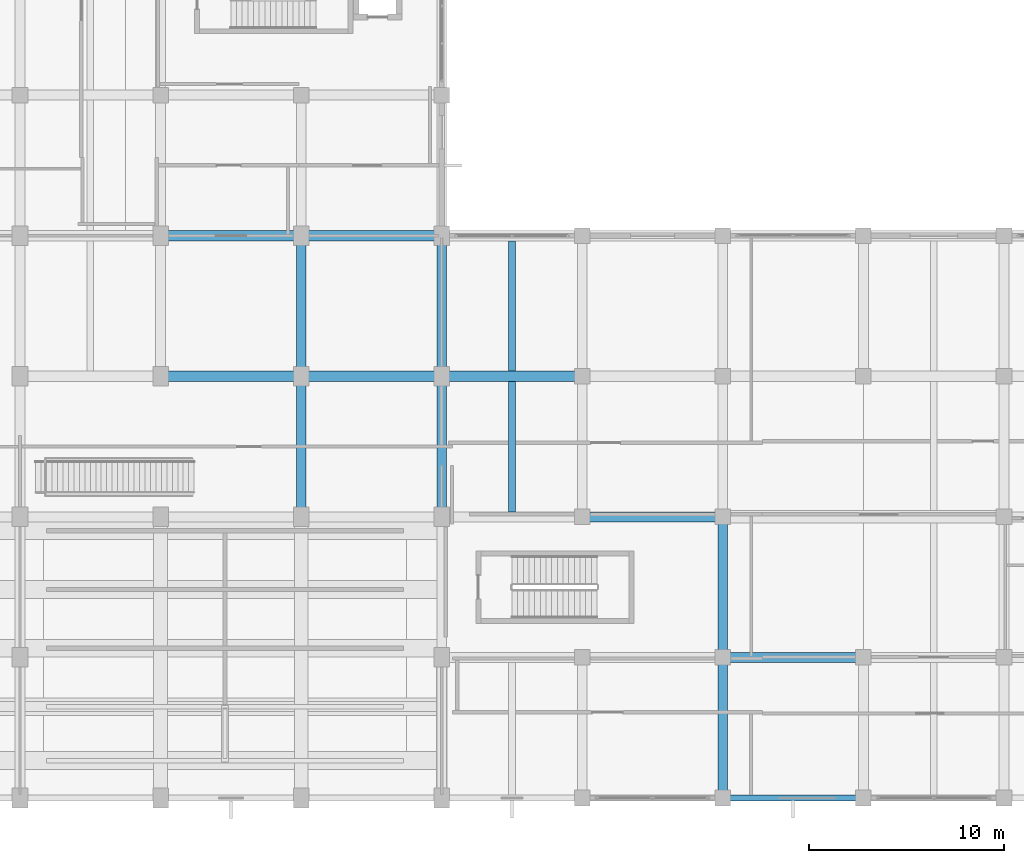
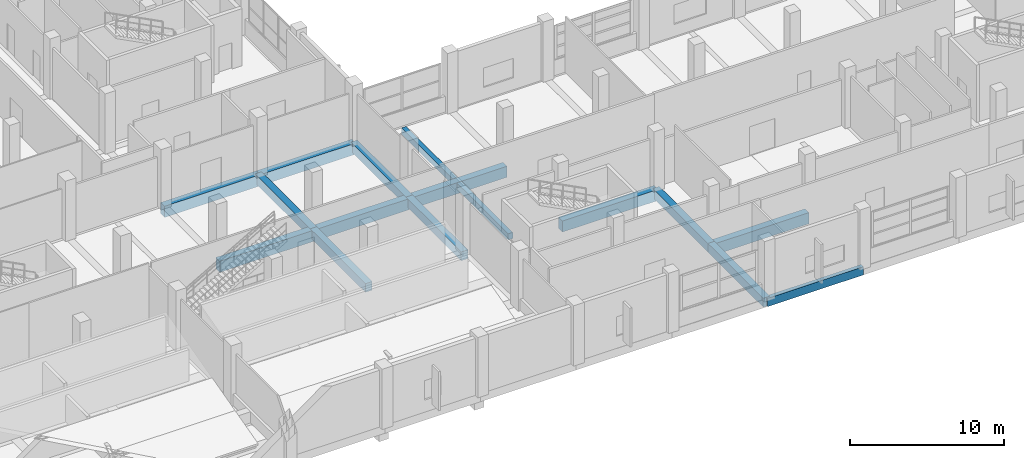
# One storey, part 11 of 140: 16 beams.
"""IFC4 building model written with IfcOpenShell, lengths in metres."""

from ifc_helpers import new_model, si_unit, direction, frame, origin, origin_2d, place, context, subcontext, project, spatial, rectangle, extrude, material, material_profile, profile_set, type_object, element, save


model = new_model("IFC4")

# Units and contexts
model_context = context("Model", 3, precision=1e-05, world=origin(), true_north=direction((0.0, 1.0)))
body_context = subcontext(model_context, "Body", "Model", "MODEL_VIEW")
ifc_project = project(units=[si_unit("LENGTHUNIT", "METRE"), si_unit("AREAUNIT", "SQUARE_METRE"), si_unit("VOLUMEUNIT", "CUBIC_METRE"), si_unit("PLANEANGLEUNIT", "RADIAN"), si_unit("MASSUNIT", "GRAM", prefix="KILO")], contexts=[model_context])

# Site, building, storey
site_placement = place(None, origin())
site = spatial("IfcSite", under=ifc_project, at=site_placement, CompositionType="ELEMENT")
building_placement = place(site_placement, origin())
building = spatial("IfcBuilding", under=site, at=building_placement, Name="Seraya Terrace Polytechnic", CompositionType="ELEMENT")
storey_placement = place(building_placement, frame((0.0, 0.0, 9.60009765625)))
storey = spatial("IfcBuildingStorey", under=building, at=storey_placement, Name="L02", CompositionType="ELEMENT", Elevation=9.60009765625)

# Beams
ifc_material = material(Name="Concrete C40/50", Category="concrete")
ifc_material_profile_1 = material_profile(ifc_material, rectangle(XDim=0.52001953125, YDim=0.8798828125, at=origin_2d()), Name="RC 520x880")
ifc_profile_set_1 = profile_set([ifc_material_profile_1], Name="Concrete C40/50")
beam_type_1 = type_object("IfcBeamType", Name="BM-04", PredefinedType="BEAM", material=ifc_profile_set_1)
beam_1_placement = place(storey_placement, frame((57.60009765625, 7.199951171875, -0.440185546875), z_axis=(1.0, 0.0, 0.0), x_axis=(0.0, 1.0, 0.0)))
element("IfcBeam", 1, at=beam_1_placement, inside=storey, type_object=beam_type_1, Name="Beam BM-04 L02 X (57.6..64.8, 7.2)", PredefinedType="BEAM", context=body_context, shape_type="SweptSolid", body=[
    extrude(rectangle(XDim=0.52001953125, YDim=0.8798828125, at=origin_2d()), origin(), (0.0, 0.0, 1.0), 7.199951171875),
])
beam_2_placement = place(storey_placement, frame((50.39990234375, 14.39990234375, -0.440185546875), z_axis=(1.0, 0.0, 0.0), x_axis=(0.0, 1.0, 0.0)))
element("IfcBeam", 2, at=beam_2_placement, inside=storey, type_object=beam_type_1, Name="Beam BM-04 L02 X (50.4..57.6, 14.4)", PredefinedType="BEAM", context=body_context, shape_type="SweptSolid", body=[
    extrude(rectangle(XDim=0.52001953125, YDim=0.8798828125, at=origin_2d()), origin(), (0.0, 0.0, 1.0), 7.2001953125),
])
for number, where, z_axis, x_axis, name in (
    (3, (28.800048828125, 21.60009765625, -0.440185546875), (1.0, 0.0, 0.0), (0.0, 1.0, 0.0), "Beam BM-04 L02 X (28.8..36.0, 21.6)"),
    (4, (36.0, 21.60009765625, -0.440185546875), (1.0, 0.0, 0.0), (0.0, 1.0, 0.0), "Beam BM-04 L02 X (36.0..43.2, 21.6)"),
    (5, (43.199951171875, 21.60009765625, -0.440185546875), (1.0, 0.0, 0.0), (0.0, 1.0, 0.0), "Beam BM-04 L02 X (43.2..50.4, 21.6)"),
    (6, (28.800048828125, 28.800048828125, -0.440185546875), (1.0, 0.0, 0.0), (0.0, 1.0, 0.0), "Beam BM-04 L02 X (28.8..36.0, 28.8)"),
    (7, (36.0, 28.800048828125, -0.440185546875), (1.0, 0.0, 0.0), (0.0, 1.0, 0.0), "Beam BM-04 L02 X (36.0..43.2, 28.8)"),
):
    element("IfcBeam", number, at=place(storey_placement, frame(where, z_axis=z_axis, x_axis=x_axis)), inside=storey, type_object=beam_type_1, Name=name, PredefinedType="BEAM", context=body_context, shape_type="SweptSolid", body=[
        extrude(rectangle(XDim=0.52001953125, YDim=0.8798828125, at=origin_2d()), origin(), (0.0, 0.0, 1.0), 7.199951171875),
    ])
ifc_material_profile_2 = material_profile(ifc_material, rectangle(XDim=0.5, YDim=0.699951171875, at=origin_2d()), Name="RC 500x700")
ifc_profile_set_2 = profile_set([ifc_material_profile_2], Name="Concrete C40/50")
beam_type_2 = type_object("IfcBeamType", Name="BM-07", PredefinedType="BEAM", material=ifc_profile_set_2)
beam_3_placement = place(storey_placement, frame((36.0, 14.39990234375, -0.35009765625), z_axis=(0.0, 1.0, 0.0), x_axis=(-1.0, 0.0, 0.0)))
element("IfcBeam", 8, at=beam_3_placement, inside=storey, type_object=beam_type_2, Name="Beam BM-07 L02 Y (36.0, 14.4..21.6)", PredefinedType="BEAM", context=body_context, shape_type="SweptSolid", body=[
    extrude(rectangle(XDim=0.5, YDim=0.699951171875, at=origin_2d()), origin(), (0.0, 0.0, 1.0), 7.2001953125),
])
beam_4_placement = place(storey_placement, frame((36.0, 21.60009765625, -0.35009765625), z_axis=(0.0, 1.0, 0.0), x_axis=(-1.0, 0.0, 0.0)))
element("IfcBeam", 9, at=beam_4_placement, inside=storey, type_object=beam_type_2, Name="Beam BM-07 L02 Y (36.0, 21.6..28.8)", PredefinedType="BEAM", context=body_context, shape_type="SweptSolid", body=[
    extrude(rectangle(XDim=0.5, YDim=0.699951171875, at=origin_2d()), origin(), (0.0, 0.0, 1.0), 7.199951171875),
])
beam_5_placement = place(storey_placement, frame((43.199951171875, 14.39990234375, -0.35009765625), z_axis=(0.0, 1.0, 0.0), x_axis=(-1.0, 0.0, 0.0)))
element("IfcBeam", 10, at=beam_5_placement, inside=storey, type_object=beam_type_2, Name="Beam BM-07 L02 Y (43.2, 14.4..21.6)", PredefinedType="BEAM", context=body_context, shape_type="SweptSolid", body=[
    extrude(rectangle(XDim=0.5, YDim=0.699951171875, at=origin_2d()), origin(), (0.0, 0.0, 1.0), 7.2001953125),
])
for number, where, z_axis, x_axis, name in (
    (11, (43.199951171875, 21.60009765625, -0.35009765625), (0.0, 1.0, 0.0), (-1.0, 0.0, 0.0), "Beam BM-07 L02 Y (43.2, 21.6..28.8)"),
    (12, (57.60009765625, 0.0, -0.35009765625), (0.0, 1.0, 0.0), (-1.0, 0.0, 0.0), "Beam BM-07 L02 Y (57.6, 0.0..7.2)"),
    (13, (57.60009765625, 7.199951171875, -0.35009765625), (0.0, 1.0, 0.0), (-1.0, 0.0, 0.0), "Beam BM-07 L02 Y (57.6, 7.2..14.4)"),
):
    element("IfcBeam", number, at=place(storey_placement, frame(where, z_axis=z_axis, x_axis=x_axis)), inside=storey, type_object=beam_type_2, Name=name, PredefinedType="BEAM", context=body_context, shape_type="SweptSolid", body=[
        extrude(rectangle(XDim=0.5, YDim=0.699951171875, at=origin_2d()), origin(), (0.0, 0.0, 1.0), 7.199951171875),
    ])
ifc_material_profile_3 = material_profile(ifc_material, rectangle(XDim=0.35009765625, YDim=0.5, at=origin_2d()), Name="RC 350x500")
ifc_profile_set_3 = profile_set([ifc_material_profile_3], Name="Concrete C40/50")
beam_type_3 = type_object("IfcBeamType", Name="JS-03", PredefinedType="JOIST", material=ifc_profile_set_3)
beam_6_placement = place(storey_placement, frame((46.800048828125, 14.659912109375, -0.25), z_axis=(0.0, 1.0, 0.0), x_axis=(-1.0, 0.0, 0.0)))
element("IfcBeam", 14, at=beam_6_placement, inside=storey, type_object=beam_type_3, Name="Secondary joist JS-03 L02", PredefinedType="JOIST", context=body_context, shape_type="SweptSolid", body=[
    extrude(rectangle(XDim=0.35009765625, YDim=0.5, at=origin_2d()), origin(), (0.0, 0.0, 1.0), 6.68017578125),
])
beam_7_placement = place(storey_placement, frame((46.800048828125, 21.860107421875, -0.25), z_axis=(0.0, 1.0, 0.0), x_axis=(-1.0, 0.0, 0.0)))
element("IfcBeam", 15, at=beam_7_placement, inside=storey, type_object=beam_type_3, Name="Secondary joist JS-03 L02", PredefinedType="JOIST", context=body_context, shape_type="SweptSolid", body=[
    extrude(rectangle(XDim=0.35009765625, YDim=0.5, at=origin_2d()), origin(), (0.0, 0.0, 1.0), 6.679931640625),
])
ifc_material_profile_4 = material_profile(ifc_material, rectangle(XDim=0.300048828125, YDim=0.64990234375, at=origin_2d()), Name="RC 300x650")
ifc_profile_set_4 = profile_set([ifc_material_profile_4], Name="Concrete C40/50")
beam_type_4 = type_object("IfcBeamType", Name="SP-01", PredefinedType="SPANDREL", material=ifc_profile_set_4)
beam_8_placement = place(storey_placement, frame((57.60009765625, 0.0, -0.3251953125), z_axis=(1.0, 0.0, 0.0), x_axis=(0.0, 1.0, 0.0)))
element("IfcBeam", 16, at=beam_8_placement, inside=storey, type_object=beam_type_4, Name="Beam SP-01 L02 X (57.6..64.8, 0.0)", PredefinedType="SPANDREL", context=body_context, shape_type="SweptSolid", body=[
    extrude(rectangle(XDim=0.300048828125, YDim=0.64990234375, at=origin_2d()), origin(), (0.0, 0.0, 1.0), 7.199951171875),
])

save(model, "model.ifc")
